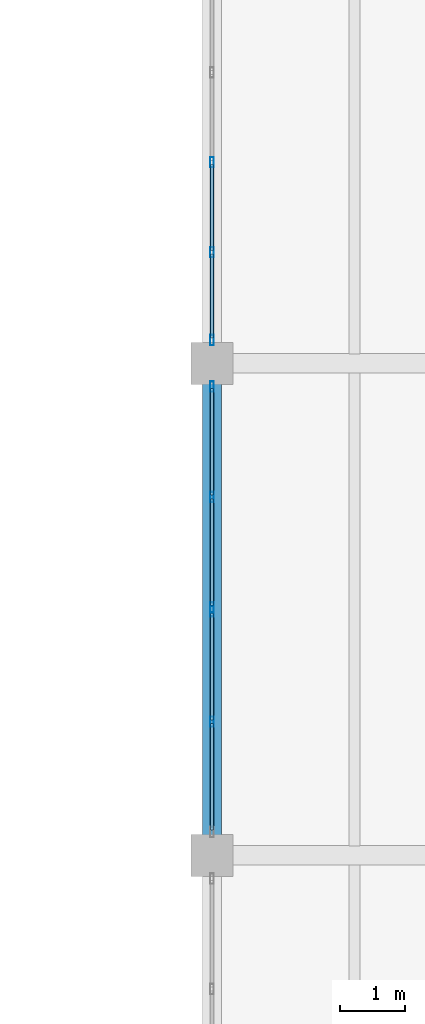
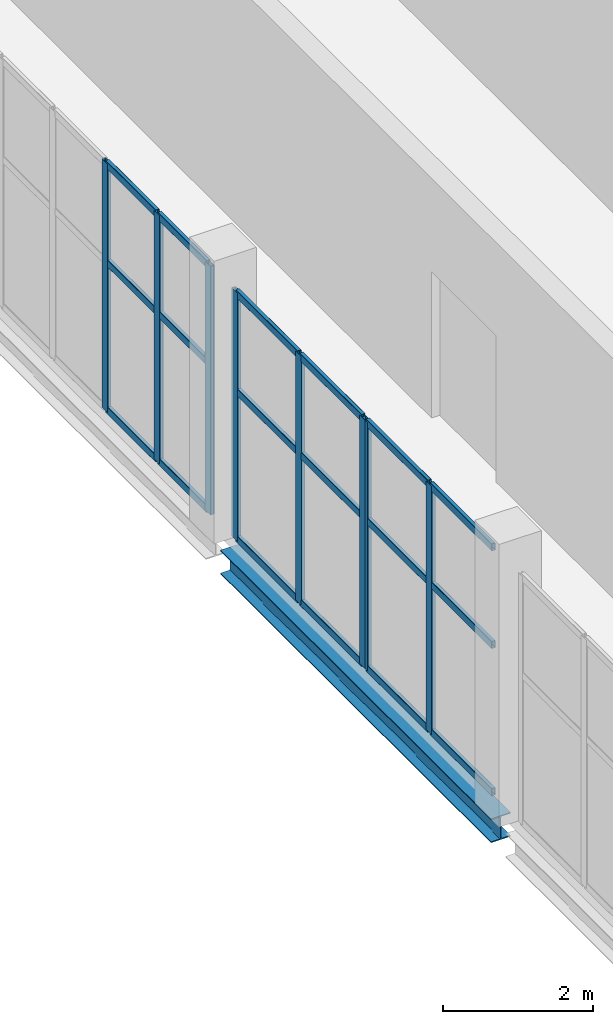
# One storey, part 99 of 172: 26 members, 1 beam, 3 elements without a shape of their own.
"""IFC4 building model written with IfcOpenShell, lengths in metres."""

from ifc_helpers import new_model, si_unit, direction, frame, origin, origin_2d, place, context, subcontext, project, spatial, hollow_rectangle, i_section, extrude, material, material_profile, profile_set, type_object, element, aggregate, save


model = new_model("IFC4")

# Units and contexts
model_context = context("Model", 3, precision=1e-05, world=origin(), true_north=direction((0.0, 1.0)))
body_context = subcontext(model_context, "Body", "Model", "MODEL_VIEW")
ifc_project = project(units=[si_unit("LENGTHUNIT", "METRE"), si_unit("AREAUNIT", "SQUARE_METRE"), si_unit("VOLUMEUNIT", "CUBIC_METRE"), si_unit("PLANEANGLEUNIT", "RADIAN"), si_unit("MASSUNIT", "GRAM", prefix="KILO")], contexts=[model_context])

# Site, building, storey
site_placement = place(None, origin())
site = spatial("IfcSite", under=ifc_project, at=site_placement, CompositionType="ELEMENT")
building_placement = place(site_placement, origin())
building = spatial("IfcBuilding", under=site, at=building_placement, Name="Shengluoqiao Park Theatre", CompositionType="ELEMENT")
storey_placement = place(building_placement, frame((0.0, 0.0, 5.39990234375)))
storey = spatial("IfcBuildingStorey", under=building, at=storey_placement, Name="L01", CompositionType="ELEMENT", Elevation=5.39990234375)

# Curtain wall, members
ifc_material_1 = material(Name="Aluminium 6063-T6", Category="aluminium")
curtain_wall_type = type_object("IfcCurtainWallType", Name="ENV-CW-COURT", PredefinedType="NOTDEFINED", material=ifc_material_1)
curtain_wall_1_placement = place(storey_placement, origin())
curtain_wall_1 = element("IfcCurtainWall", 1, at=curtain_wall_1_placement, inside=storey, type_object=curtain_wall_type, Name="L01 Curtain Wall CWX-L01-0181", PredefinedType="NOTDEFINED")
ifc_material_profile_1 = material_profile(ifc_material_1, hollow_rectangle(XDim=0.06005859375, YDim=0.159912109375, WallThickness=0.00390625, InnerFilletRadius=0.00390625, OuterFilletRadius=0.008056640625, at=origin_2d()), Name="ALU MULLION 160x60x4")
ifc_profile_set_1 = profile_set([ifc_material_profile_1], Name="Aluminium 6063-T6")
member_type_1 = type_object("IfcMemberType", Name="ENV-MUL-160", PredefinedType="MULLION", material=ifc_profile_set_1)
member_1_placement = place(storey_placement, frame((157.199951171875, 32.464599609375, 0.0), z_axis=(0.0, 0.0, 1.0), x_axis=(-1.0, 0.0, 0.0)))
member_1 = element("IfcMember", 2, at=member_1_placement, type_object=member_type_1, Name="CW-05 mullion 2", PredefinedType="MULLION", context=body_context, shape_type="SweptSolid", body=[
    extrude(hollow_rectangle(XDim=0.06005859375, YDim=0.159912109375, WallThickness=0.00390625, InnerFilletRadius=0.00390625, OuterFilletRadius=0.008056640625, at=origin_2d()), origin(), (0.0, 0.0, 1.0), 4.044189453125),
])
member_2_placement = place(storey_placement, frame((157.199951171875, 34.169921875, 0.0), z_axis=(0.0, 0.0, 1.0), x_axis=(-1.0, 0.0, 0.0)))
member_2 = element("IfcMember", 3, at=member_2_placement, type_object=member_type_1, Name="CW-05 mullion 3", PredefinedType="MULLION", context=body_context, shape_type="SweptSolid", body=[
    extrude(hollow_rectangle(XDim=0.06005859375, YDim=0.159912109375, WallThickness=0.00390625, InnerFilletRadius=0.00390625, OuterFilletRadius=0.008056640625, at=origin_2d()), origin(), (0.0, 0.0, 1.0), 4.044189453125),
])

curtain_wall_2_placement = place(storey_placement, origin())
curtain_wall_2 = element("IfcCurtainWall", 4, at=curtain_wall_2_placement, inside=storey, type_object=curtain_wall_type, Name="L01 Curtain Wall CWX-L01-0182", PredefinedType="NOTDEFINED")
member_3_placement = place(storey_placement, frame((157.199951171875, 34.22998046875, 0.0), z_axis=(0.0, 0.0, 1.0), x_axis=(-1.0, 0.0, 0.0)))
member_3 = element("IfcMember", 5, at=member_3_placement, type_object=member_type_1, Name="CW-05 mullion 1", PredefinedType="MULLION", context=body_context, shape_type="SweptSolid", body=[
    extrude(hollow_rectangle(XDim=0.06005859375, YDim=0.159912109375, WallThickness=0.00390625, InnerFilletRadius=0.00390625, OuterFilletRadius=0.008056640625, at=origin_2d()), origin(), (0.0, 0.0, 1.0), 4.044189453125),
])
member_4_placement = place(storey_placement, frame((157.199951171875, 35.935546875, 0.0), z_axis=(0.0, 0.0, 1.0), x_axis=(-1.0, 0.0, 0.0)))
member_4 = element("IfcMember", 6, at=member_4_placement, type_object=member_type_1, Name="CW-05 mullion 2", PredefinedType="MULLION", context=body_context, shape_type="SweptSolid", body=[
    extrude(hollow_rectangle(XDim=0.06005859375, YDim=0.159912109375, WallThickness=0.00390625, InnerFilletRadius=0.00390625, OuterFilletRadius=0.008056640625, at=origin_2d()), origin(), (0.0, 0.0, 1.0), 4.044189453125),
])
member_5_placement = place(storey_placement, frame((157.199951171875, 37.64111328125, 0.0), z_axis=(0.0, 0.0, 1.0), x_axis=(-1.0, 0.0, 0.0)))
member_5 = element("IfcMember", 7, at=member_5_placement, type_object=member_type_1, Name="CW-05 mullion 3", PredefinedType="MULLION", context=body_context, shape_type="SweptSolid", body=[
    extrude(hollow_rectangle(XDim=0.06005859375, YDim=0.159912109375, WallThickness=0.00390625, InnerFilletRadius=0.00390625, OuterFilletRadius=0.008056640625, at=origin_2d()), origin(), (0.0, 0.0, 1.0), 4.044189453125),
])

curtain_wall_3_placement = place(storey_placement, origin())
curtain_wall_3 = element("IfcCurtainWall", 8, at=curtain_wall_3_placement, inside=storey, type_object=curtain_wall_type, Name="L01 Curtain Wall CWX-L01-0183", PredefinedType="NOTDEFINED")
member_6_placement = place(storey_placement, frame((157.199951171875, 38.35888671875, 0.0), z_axis=(0.0, 0.0, 1.0), x_axis=(-1.0, 0.0, 0.0)))
member_6 = element("IfcMember", 9, at=member_6_placement, type_object=member_type_1, Name="CW-05 mullion 1", PredefinedType="MULLION", context=body_context, shape_type="SweptSolid", body=[
    extrude(hollow_rectangle(XDim=0.06005859375, YDim=0.159912109375, WallThickness=0.00390625, InnerFilletRadius=0.00390625, OuterFilletRadius=0.008056640625, at=origin_2d()), origin(), (0.0, 0.0, 1.0), 4.044189453125),
])
member_7_placement = place(storey_placement, frame((157.199951171875, 39.71728515625, 0.0), z_axis=(0.0, 0.0, 1.0), x_axis=(-1.0, 0.0, 0.0)))
member_7 = element("IfcMember", 10, at=member_7_placement, type_object=member_type_1, Name="CW-05 mullion 2", PredefinedType="MULLION", context=body_context, shape_type="SweptSolid", body=[
    extrude(hollow_rectangle(XDim=0.06005859375, YDim=0.159912109375, WallThickness=0.00390625, InnerFilletRadius=0.00390625, OuterFilletRadius=0.008056640625, at=origin_2d()), origin(), (0.0, 0.0, 1.0), 4.044189453125),
])
member_8_placement = place(storey_placement, frame((157.199951171875, 41.105712890625, 0.0), z_axis=(0.0, 0.0, 1.0), x_axis=(-1.0, 0.0, 0.0)))
member_8 = element("IfcMember", 11, at=member_8_placement, type_object=member_type_1, Name="CW-05 mullion 3", PredefinedType="MULLION", context=body_context, shape_type="SweptSolid", body=[
    extrude(hollow_rectangle(XDim=0.06005859375, YDim=0.159912109375, WallThickness=0.00390625, InnerFilletRadius=0.00390625, OuterFilletRadius=0.008056640625, at=origin_2d()), origin(), (0.0, 0.0, 1.0), 4.044189453125),
])

# Member
ifc_material_profile_2 = material_profile(ifc_material_1, hollow_rectangle(XDim=0.06005859375, YDim=0.1201171875, WallThickness=0.00390625, InnerFilletRadius=0.00390625, OuterFilletRadius=0.008056640625, at=origin_2d()), Name="ALU TRANSOM 120x60x4")
ifc_profile_set_2 = profile_set([ifc_material_profile_2], Name="Aluminium 6063-T6")
member_type_2 = type_object("IfcMemberType", Name="ENV-TRN-120", PredefinedType="USERDEFINED", material=ifc_profile_set_2)
member_9_placement = place(storey_placement, frame((157.199951171875, 30.7890625, 0.030029296875), z_axis=(0.0, 1.0, 0.0), x_axis=(-1.0, 0.0, 0.0)))
member_9 = element("IfcMember", 12, at=member_9_placement, type_object=member_type_2, Name="CW-05 transom 1.1", ObjectType="TRANSOM", PredefinedType="USERDEFINED", context=body_context, shape_type="SweptSolid", body=[
    extrude(hollow_rectangle(XDim=0.06005859375, YDim=0.1201171875, WallThickness=0.00390625, InnerFilletRadius=0.00390625, OuterFilletRadius=0.008056640625, at=origin_2d()), origin(), (0.0, 0.0, 1.0), 1.6455078125),
])

member_10_placement = place(storey_placement, frame((157.199951171875, 30.7890625, 2.426025390625), z_axis=(0.0, 1.0, 0.0), x_axis=(-1.0, 0.0, 0.0)))
member_10 = element("IfcMember", 13, at=member_10_placement, type_object=member_type_2, Name="CW-05 transom 1.2", ObjectType="TRANSOM", PredefinedType="USERDEFINED", context=body_context, shape_type="SweptSolid", body=[
    extrude(hollow_rectangle(XDim=0.06005859375, YDim=0.1201171875, WallThickness=0.00390625, InnerFilletRadius=0.00390625, OuterFilletRadius=0.008056640625, at=origin_2d()), origin(), (0.0, 0.0, 1.0), 1.6455078125),
])

member_11_placement = place(storey_placement, frame((157.199951171875, 30.7890625, 4.01416015625), z_axis=(0.0, 1.0, 0.0), x_axis=(-1.0, 0.0, 0.0)))
member_11 = element("IfcMember", 14, at=member_11_placement, type_object=member_type_2, Name="CW-05 transom 1.3", ObjectType="TRANSOM", PredefinedType="USERDEFINED", context=body_context, shape_type="SweptSolid", body=[
    extrude(hollow_rectangle(XDim=0.06005859375, YDim=0.1201171875, WallThickness=0.00390625, InnerFilletRadius=0.00390625, OuterFilletRadius=0.008056640625, at=origin_2d()), origin(), (0.0, 0.0, 1.0), 1.6455078125),
])

member_12_placement = place(storey_placement, frame((157.199951171875, 32.494384765625, 0.030029296875), z_axis=(0.0, 1.0, 0.0), x_axis=(-1.0, 0.0, 0.0)))
member_12 = element("IfcMember", 15, at=member_12_placement, type_object=member_type_2, Name="CW-05 transom 2.1", ObjectType="TRANSOM", PredefinedType="USERDEFINED", context=body_context, shape_type="SweptSolid", body=[
    extrude(hollow_rectangle(XDim=0.06005859375, YDim=0.1201171875, WallThickness=0.00390625, InnerFilletRadius=0.00390625, OuterFilletRadius=0.008056640625, at=origin_2d()), origin(), (0.0, 0.0, 1.0), 1.6455078125),
])

member_13_placement = place(storey_placement, frame((157.199951171875, 32.494384765625, 2.426025390625), z_axis=(0.0, 1.0, 0.0), x_axis=(-1.0, 0.0, 0.0)))
member_13 = element("IfcMember", 16, at=member_13_placement, type_object=member_type_2, Name="CW-05 transom 2.2", ObjectType="TRANSOM", PredefinedType="USERDEFINED", context=body_context, shape_type="SweptSolid", body=[
    extrude(hollow_rectangle(XDim=0.06005859375, YDim=0.1201171875, WallThickness=0.00390625, InnerFilletRadius=0.00390625, OuterFilletRadius=0.008056640625, at=origin_2d()), origin(), (0.0, 0.0, 1.0), 1.6455078125),
])

member_14_placement = place(storey_placement, frame((157.199951171875, 32.494384765625, 4.01416015625), z_axis=(0.0, 1.0, 0.0), x_axis=(-1.0, 0.0, 0.0)))
member_14 = element("IfcMember", 17, at=member_14_placement, type_object=member_type_2, Name="CW-05 transom 2.3", ObjectType="TRANSOM", PredefinedType="USERDEFINED", context=body_context, shape_type="SweptSolid", body=[
    extrude(hollow_rectangle(XDim=0.06005859375, YDim=0.1201171875, WallThickness=0.00390625, InnerFilletRadius=0.00390625, OuterFilletRadius=0.008056640625, at=origin_2d()), origin(), (0.0, 0.0, 1.0), 1.6455078125),
])

aggregate(curtain_wall_1, [member_1, member_2, member_9, member_10, member_11, member_12, member_13, member_14])

member_15_placement = place(storey_placement, frame((157.199951171875, 34.260009765625, 0.030029296875), z_axis=(0.0, 1.0, 0.0), x_axis=(-1.0, 0.0, 0.0)))
member_15 = element("IfcMember", 18, at=member_15_placement, type_object=member_type_2, Name="CW-05 transom 1.1", ObjectType="TRANSOM", PredefinedType="USERDEFINED", context=body_context, shape_type="SweptSolid", body=[
    extrude(hollow_rectangle(XDim=0.06005859375, YDim=0.1201171875, WallThickness=0.00390625, InnerFilletRadius=0.00390625, OuterFilletRadius=0.008056640625, at=origin_2d()), origin(), (0.0, 0.0, 1.0), 1.6455078125),
])

member_16_placement = place(storey_placement, frame((157.199951171875, 34.260009765625, 2.426025390625), z_axis=(0.0, 1.0, 0.0), x_axis=(-1.0, 0.0, 0.0)))
member_16 = element("IfcMember", 19, at=member_16_placement, type_object=member_type_2, Name="CW-05 transom 1.2", ObjectType="TRANSOM", PredefinedType="USERDEFINED", context=body_context, shape_type="SweptSolid", body=[
    extrude(hollow_rectangle(XDim=0.06005859375, YDim=0.1201171875, WallThickness=0.00390625, InnerFilletRadius=0.00390625, OuterFilletRadius=0.008056640625, at=origin_2d()), origin(), (0.0, 0.0, 1.0), 1.6455078125),
])

member_17_placement = place(storey_placement, frame((157.199951171875, 34.260009765625, 4.01416015625), z_axis=(0.0, 1.0, 0.0), x_axis=(-1.0, 0.0, 0.0)))
member_17 = element("IfcMember", 20, at=member_17_placement, type_object=member_type_2, Name="CW-05 transom 1.3", ObjectType="TRANSOM", PredefinedType="USERDEFINED", context=body_context, shape_type="SweptSolid", body=[
    extrude(hollow_rectangle(XDim=0.06005859375, YDim=0.1201171875, WallThickness=0.00390625, InnerFilletRadius=0.00390625, OuterFilletRadius=0.008056640625, at=origin_2d()), origin(), (0.0, 0.0, 1.0), 1.6455078125),
])

member_18_placement = place(storey_placement, frame((157.199951171875, 35.965576171875, 0.030029296875), z_axis=(0.0, 1.0, 0.0), x_axis=(-1.0, 0.0, 0.0)))
member_18 = element("IfcMember", 21, at=member_18_placement, type_object=member_type_2, Name="CW-05 transom 2.1", ObjectType="TRANSOM", PredefinedType="USERDEFINED", context=body_context, shape_type="SweptSolid", body=[
    extrude(hollow_rectangle(XDim=0.06005859375, YDim=0.1201171875, WallThickness=0.00390625, InnerFilletRadius=0.00390625, OuterFilletRadius=0.008056640625, at=origin_2d()), origin(), (0.0, 0.0, 1.0), 1.6455078125),
])

member_19_placement = place(storey_placement, frame((157.199951171875, 35.965576171875, 2.426025390625), z_axis=(0.0, 1.0, 0.0), x_axis=(-1.0, 0.0, 0.0)))
member_19 = element("IfcMember", 22, at=member_19_placement, type_object=member_type_2, Name="CW-05 transom 2.2", ObjectType="TRANSOM", PredefinedType="USERDEFINED", context=body_context, shape_type="SweptSolid", body=[
    extrude(hollow_rectangle(XDim=0.06005859375, YDim=0.1201171875, WallThickness=0.00390625, InnerFilletRadius=0.00390625, OuterFilletRadius=0.008056640625, at=origin_2d()), origin(), (0.0, 0.0, 1.0), 1.6455078125),
])

member_20_placement = place(storey_placement, frame((157.199951171875, 35.965576171875, 4.01416015625), z_axis=(0.0, 1.0, 0.0), x_axis=(-1.0, 0.0, 0.0)))
member_20 = element("IfcMember", 23, at=member_20_placement, type_object=member_type_2, Name="CW-05 transom 2.3", ObjectType="TRANSOM", PredefinedType="USERDEFINED", context=body_context, shape_type="SweptSolid", body=[
    extrude(hollow_rectangle(XDim=0.06005859375, YDim=0.1201171875, WallThickness=0.00390625, InnerFilletRadius=0.00390625, OuterFilletRadius=0.008056640625, at=origin_2d()), origin(), (0.0, 0.0, 1.0), 1.6455078125),
])

aggregate(curtain_wall_2, [member_3, member_4, member_5, member_15, member_16, member_17, member_18, member_19, member_20])

member_21_placement = place(storey_placement, frame((157.199951171875, 38.388916015625, 0.030029296875), z_axis=(0.0, 1.0, 0.0), x_axis=(-1.0, 0.0, 0.0)))
member_21 = element("IfcMember", 24, at=member_21_placement, type_object=member_type_2, Name="CW-05 transom 1.1", ObjectType="TRANSOM", PredefinedType="USERDEFINED", context=body_context, shape_type="SweptSolid", body=[
    extrude(hollow_rectangle(XDim=0.06005859375, YDim=0.1201171875, WallThickness=0.00390625, InnerFilletRadius=0.00390625, OuterFilletRadius=0.008056640625, at=origin_2d()), origin(), (0.0, 0.0, 1.0), 1.298583984375),
])

member_22_placement = place(storey_placement, frame((157.199951171875, 38.388916015625, 2.426025390625), z_axis=(0.0, 1.0, 0.0), x_axis=(-1.0, 0.0, 0.0)))
member_22 = element("IfcMember", 25, at=member_22_placement, type_object=member_type_2, Name="CW-05 transom 1.2", ObjectType="TRANSOM", PredefinedType="USERDEFINED", context=body_context, shape_type="SweptSolid", body=[
    extrude(hollow_rectangle(XDim=0.06005859375, YDim=0.1201171875, WallThickness=0.00390625, InnerFilletRadius=0.00390625, OuterFilletRadius=0.008056640625, at=origin_2d()), origin(), (0.0, 0.0, 1.0), 1.298583984375),
])

member_23_placement = place(storey_placement, frame((157.199951171875, 38.388916015625, 4.01416015625), z_axis=(0.0, 1.0, 0.0), x_axis=(-1.0, 0.0, 0.0)))
member_23 = element("IfcMember", 26, at=member_23_placement, type_object=member_type_2, Name="CW-05 transom 1.3", ObjectType="TRANSOM", PredefinedType="USERDEFINED", context=body_context, shape_type="SweptSolid", body=[
    extrude(hollow_rectangle(XDim=0.06005859375, YDim=0.1201171875, WallThickness=0.00390625, InnerFilletRadius=0.00390625, OuterFilletRadius=0.008056640625, at=origin_2d()), origin(), (0.0, 0.0, 1.0), 1.298583984375),
])

member_24_placement = place(storey_placement, frame((157.199951171875, 39.747314453125, 0.030029296875), z_axis=(0.0, 1.0, 0.0), x_axis=(-1.0, 0.0, 0.0)))
member_24 = element("IfcMember", 27, at=member_24_placement, type_object=member_type_2, Name="CW-05 transom 2.1", ObjectType="TRANSOM", PredefinedType="USERDEFINED", context=body_context, shape_type="SweptSolid", body=[
    extrude(hollow_rectangle(XDim=0.06005859375, YDim=0.1201171875, WallThickness=0.00390625, InnerFilletRadius=0.00390625, OuterFilletRadius=0.008056640625, at=origin_2d()), origin(), (0.0, 0.0, 1.0), 1.328369140625),
])

member_25_placement = place(storey_placement, frame((157.199951171875, 39.747314453125, 2.426025390625), z_axis=(0.0, 1.0, 0.0), x_axis=(-1.0, 0.0, 0.0)))
member_25 = element("IfcMember", 28, at=member_25_placement, type_object=member_type_2, Name="CW-05 transom 2.2", ObjectType="TRANSOM", PredefinedType="USERDEFINED", context=body_context, shape_type="SweptSolid", body=[
    extrude(hollow_rectangle(XDim=0.06005859375, YDim=0.1201171875, WallThickness=0.00390625, InnerFilletRadius=0.00390625, OuterFilletRadius=0.008056640625, at=origin_2d()), origin(), (0.0, 0.0, 1.0), 1.328369140625),
])

member_26_placement = place(storey_placement, frame((157.199951171875, 39.747314453125, 4.01416015625), z_axis=(0.0, 1.0, 0.0), x_axis=(-1.0, 0.0, 0.0)))
member_26 = element("IfcMember", 29, at=member_26_placement, type_object=member_type_2, Name="CW-05 transom 2.3", ObjectType="TRANSOM", PredefinedType="USERDEFINED", context=body_context, shape_type="SweptSolid", body=[
    extrude(hollow_rectangle(XDim=0.06005859375, YDim=0.1201171875, WallThickness=0.00390625, InnerFilletRadius=0.00390625, OuterFilletRadius=0.008056640625, at=origin_2d()), origin(), (0.0, 0.0, 1.0), 1.328369140625),
])

aggregate(curtain_wall_3, [member_6, member_7, member_8, member_21, member_22, member_23, member_24, member_25, member_26])

# Beam
ifc_material_2 = material(Name="Steel Q355", Category="steel")
ifc_material_profile_3 = material_profile(ifc_material_2, i_section(OverallWidth=0.300048828125, OverallDepth=0.389892578125, WebThickness=0.010009765625, FlangeThickness=0.01611328125, FilletRadius=0.01806640625, at=origin_2d()), Name="HM 390x300x10x16")
ifc_profile_set_3 = profile_set([ifc_material_profile_3], Name="Steel Q355")
beam_type = type_object("IfcBeamType", Name="STR-BM-G-HM390", PredefinedType="BEAM", material=ifc_profile_set_3)
beam_placement = place(storey_placement, frame((157.199951171875, 30.593994140625, -0.434814453125), z_axis=(0.0, 1.0, 0.0), x_axis=(-1.0, 0.0, 0.0)))
element("IfcBeam", 30, at=beam_placement, inside=storey, type_object=beam_type, Name="L01 Transverse Girder 00738", PredefinedType="BEAM", context=body_context, shape_type="SweptSolid", body=[
    extrude(i_section(OverallWidth=0.300048828125, OverallDepth=0.389892578125, WebThickness=0.010009765625, FlangeThickness=0.01611328125, FilletRadius=0.01806640625, at=origin_2d()), origin(), (0.0, 0.0, 1.0), 7.2119140625),
])

save(model, "model.ifc")
